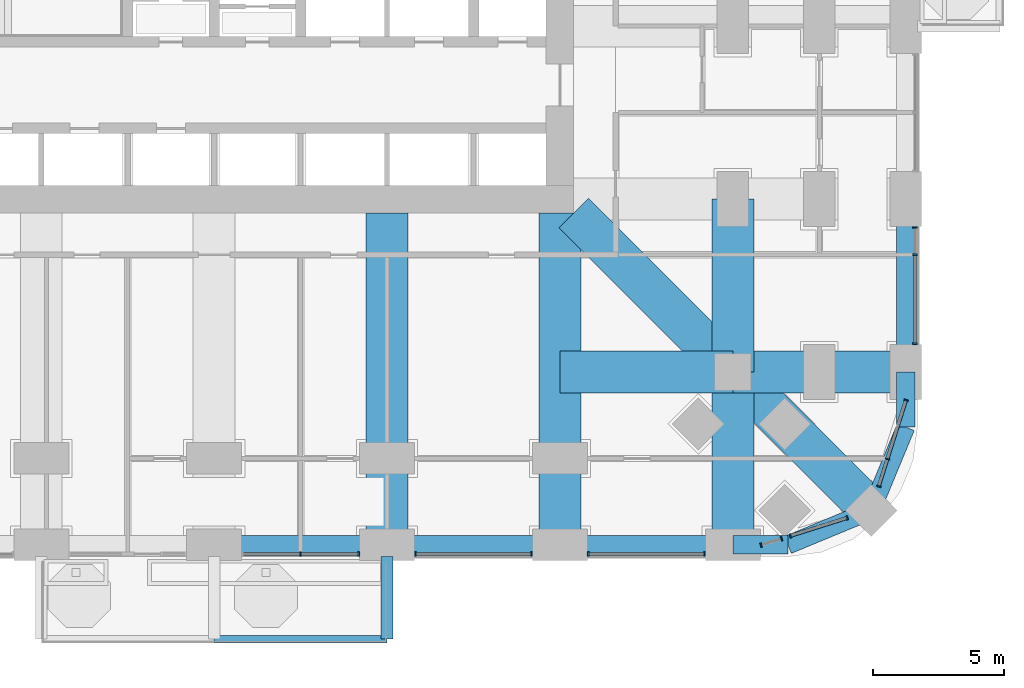
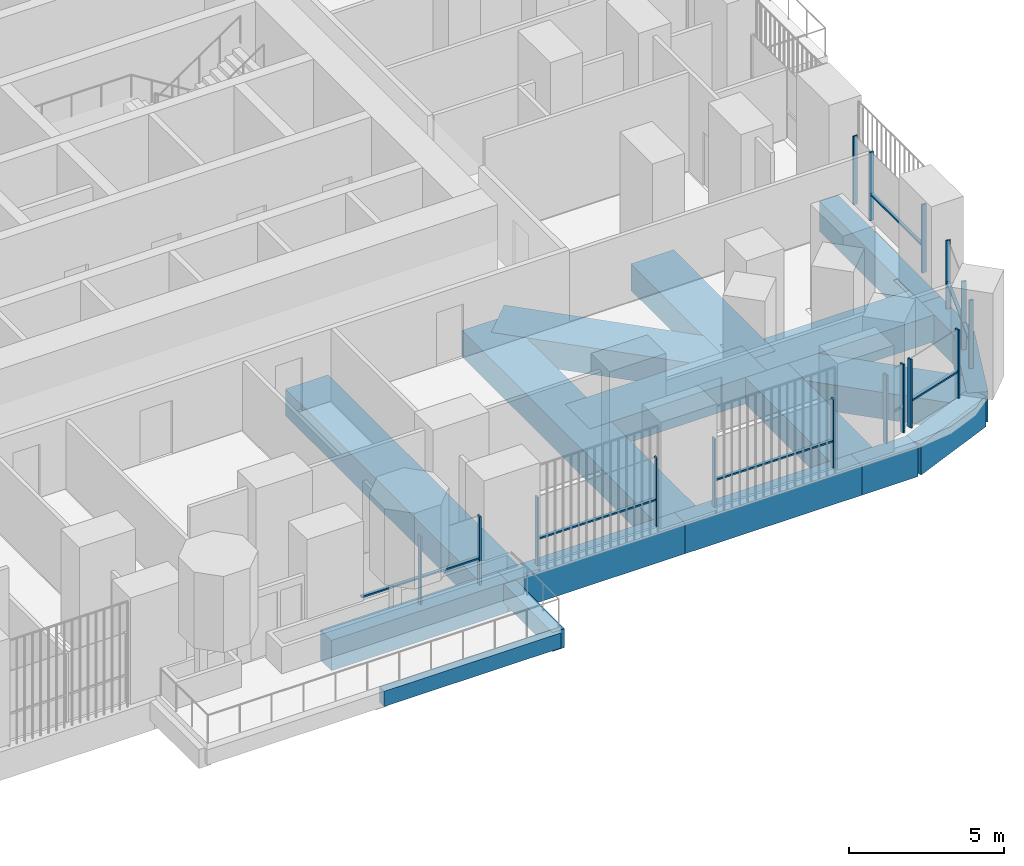
# One storey, part 4 of 26: 24 members, 18 beams, 7 elements without a shape of their own.
"""IFC4 building model written with IfcOpenShell, lengths in metres."""

import ifcopenshell
import ifcopenshell.guid

model = None  # the IFC model being written
_history = None  # IfcOwnerHistory: only IFC2X3 demands one
_inside = {}  # id of a spatial element -> (the spatial element, [elements in it])
_under = {}  # id of a project, library or spatial element -> (it, [spatial elements below it])
_declared = {}  # id of a project -> (the project, [libraries it declares])
_typed = {}  # id of a type object -> (the type object, [elements of that type])
_made_of = {}  # id of a material, layer set ... -> (it, [elements and type objects made of it])


def new_model(schema):
    """Start an empty IFC model of exactly this schema.

    Asked for "IFC4X3", IfcOpenShell would pick the latest addendum, in which some entities
    have other attributes; the version numbers below select the first issue.
    IFC2X3 requires an IfcOwnerHistory on every rooted entity: one is made here for all.
    """
    global model, _history
    if schema == "IFC4X3":
        model = ifcopenshell.file(schema_version=(4, 3, 0, 0))
    else:
        model = ifcopenshell.file(schema=schema)
    _inside.clear()
    _under.clear()
    _declared.clear()
    _typed.clear()
    _made_of.clear()
    _history = None
    if model.schema == "IFC2X3":
        org = make("IfcOrganization", Name="unknown")
        user = make(
            "IfcPersonAndOrganization",
            ThePerson=make("IfcPerson", FamilyName="unknown"),
            TheOrganization=org,
        )
        app = make(
            "IfcApplication",
            ApplicationDeveloper=org,
            Version="unknown",
            ApplicationFullName="unknown",
            ApplicationIdentifier="unknown",
        )
        _history = make(
            "IfcOwnerHistory",
            OwningUser=user,
            OwningApplication=app,
            ChangeAction="ADDED",
            CreationDate=0,
        )
    return model


def make(cls, **values):
    """One entity of the class cls with the attributes given. An attribute that is None is left unset."""
    return model.create_entity(
        cls, **{name: value for name, value in values.items() if value is not None}
    )


def rooted(cls, **values):
    """An entity with a GlobalId (a new one), such as an element, a storey or a relation."""
    return make(cls, GlobalId=ifcopenshell.guid.new(), OwnerHistory=_history, **values)


def si_unit(unit_type, name, prefix=None):
    """IfcSIUnit, for example si_unit("LENGTHUNIT", "METRE", prefix="MILLI")."""
    return make("IfcSIUnit", UnitType=unit_type, Prefix=prefix, Name=name)


def assignment(units):
    """IfcUnitAssignment: the units of a project."""
    return None if units is None else make("IfcUnitAssignment", Units=units)


def point(xyz):
    """IfcCartesianPoint."""
    return None if xyz is None else make("IfcCartesianPoint", Coordinates=xyz)


def direction(xyz):
    """IfcDirection."""
    return None if xyz is None else make("IfcDirection", DirectionRatios=xyz)


def frame(location, z_axis=None, x_axis=None):
    """IfcAxis2Placement3D, a coordinate frame: its origin and axes. An axis left out is left unset."""
    return make(
        "IfcAxis2Placement3D",
        Location=point(location),
        Axis=direction(z_axis),
        RefDirection=direction(x_axis),
    )


def frame_2d(location, x_axis=None):
    """IfcAxis2Placement2D, a coordinate frame in the plane: its origin and x axis."""
    return make(
        "IfcAxis2Placement2D", Location=point(location), RefDirection=direction(x_axis)
    )


def origin():
    """The frame at (0, 0, 0) with its axes left unset."""
    return frame((0.0, 0.0, 0.0))


def origin_2d():
    """The frame at (0, 0) in the plane with its x axis left unset."""
    return frame_2d((0.0, 0.0))


def place(relative_to, where):
    """IfcLocalPlacement: puts the frame where relative to a parent placement (None: the world)."""
    return make(
        "IfcLocalPlacement", PlacementRelTo=relative_to, RelativePlacement=where
    )


def context(
    kind, dimensions, precision=None, world=None, true_north=None, identifier=None
):
    """IfcGeometricRepresentationContext, for example the 3D "Model" context."""
    return make(
        "IfcGeometricRepresentationContext",
        ContextIdentifier=identifier,
        ContextType=kind,
        CoordinateSpaceDimension=dimensions,
        Precision=precision,
        WorldCoordinateSystem=world,
        TrueNorth=true_north,
    )


def subcontext(parent, identifier, kind, view, scale=None):
    """IfcGeometricRepresentationSubContext, for example "Body" below "Model"."""
    return make(
        "IfcGeometricRepresentationSubContext",
        ContextIdentifier=identifier,
        ContextType=kind,
        ParentContext=parent,
        TargetScale=scale,
        TargetView=view,
    )


def project(units=None, contexts=None):
    """IfcProject with its units and contexts."""
    return rooted(
        "IfcProject",
        Name="project",
        RepresentationContexts=contexts,
        UnitsInContext=assignment(units),
    )


def spatial(cls, under=None, at=None, **own):
    """A site, building, storey or space (cls), placed at a placement, below another one or the project."""
    s = rooted(cls, ObjectPlacement=at, **own)
    if under is not None:
        _under.setdefault(under.id(), (under, []))[1].append(s)
    return s


def profile(cls, at=None, kind="AREA", **sizes):
    """A parametric profile (cls). Its sizes go by their IFC names, for example OverallWidth=200.0."""
    return make(cls, ProfileType=kind, Position=at, **sizes)


def rectangle(**sizes):
    """IfcRectangleProfileDef."""
    return profile("IfcRectangleProfileDef", **sizes)


def extrude(swept, where, along, depth):
    """IfcExtrudedAreaSolid: the profile swept, set in the frame where, extruded along a direction by depth."""
    return make(
        "IfcExtrudedAreaSolid",
        SweptArea=swept,
        Position=where,
        ExtrudedDirection=direction(along),
        Depth=depth,
    )


def shape(context_of_items, identifier, shape_type, items):
    """IfcShapeRepresentation: the items that make up one representation, for example the "Body"."""
    return make(
        "IfcShapeRepresentation",
        ContextOfItems=context_of_items,
        RepresentationIdentifier=identifier,
        RepresentationType=shape_type,
        Items=items,
    )


def material(Name=None, Category=None):
    """IfcMaterial."""
    return make("IfcMaterial", Name=Name, Category=Category)


def material_profile(
    of_material, cross_section, Name=None, Category=None, Priority=None
):
    """IfcMaterialProfile: a cross section and its material."""
    return make(
        "IfcMaterialProfile",
        Name=Name,
        Material=of_material,
        Profile=cross_section,
        Priority=Priority,
        Category=Category,
    )


def profile_set(profiles, Name=None, composite=None):
    """IfcMaterialProfileSet."""
    return make(
        "IfcMaterialProfileSet",
        Name=Name,
        MaterialProfiles=profiles,
        CompositeProfile=composite,
    )


def made_of(thing, what):
    """Note that an element or type object is made of a material, layer set ...; save() writes the relation."""
    if what is not None:
        _made_of.setdefault(what.id(), (what, []))[1].append(thing)
    return thing


def type_object(cls, material=None, **own):
    """A type object (cls), such as IfcWallType, which elements share."""
    return made_of(rooted(cls, **own), material)


def element(
    cls,
    number,
    at=None,
    inside=None,
    cuts=None,
    type_object=None,
    material=None,
    context=None,
    identifier="Body",
    shape_type=None,
    held_by="IfcProductDefinitionShape",
    body=None,
    shapes=None,
    **own,
):
    """One element of the class cls, such as IfcWall. Its Tag is "e" and its number.

    at: its placement. inside: the storey or other place that contains it. cuts: it is an
    opening in that element (IfcRelVoidsElement). A single representation is given by context,
    identifier, shape_type and body (its items); several are given by shapes. held_by: the class
    of the entity that holds the representations. save() writes the other relations.
    """
    e = rooted(cls, Tag="e%d" % number, ObjectPlacement=at, **own)
    if body is not None:
        shapes = [shape(context, identifier, shape_type, body)]
    if shapes is not None:
        e.Representation = make(held_by, Representations=shapes)
    if inside is not None:
        _inside.setdefault(inside.id(), (inside, []))[1].append(e)
    if cuts is not None:
        rooted(
            "IfcRelVoidsElement", RelatingBuildingElement=cuts, RelatedOpeningElement=e
        )
    if type_object is not None:
        _typed.setdefault(type_object.id(), (type_object, []))[1].append(e)
    return made_of(e, material)


def aggregate(whole, parts):
    """IfcRelAggregates: a whole, such as a stair, and the parts it consists of."""
    return rooted("IfcRelAggregates", RelatingObject=whole, RelatedObjects=parts)


def save(model, path):
    """Write the relations noted so far, then the file.

    IfcRelAggregates (storeys below a building ...), IfcRelContainedInSpatialStructure (elements
    in a storey), IfcRelDefinesByType, IfcRelAssociatesMaterial and IfcRelDeclares: one each for
    every whole, place, type object, material and project.
    """
    for whole, parts in _under.values():
        aggregate(whole, parts)
    for where, things in _inside.values():
        rooted(
            "IfcRelContainedInSpatialStructure",
            RelatedElements=things,
            RelatingStructure=where,
        )
    for kind, things in _typed.values():
        rooted("IfcRelDefinesByType", RelatedObjects=things, RelatingType=kind)
    for what, things in _made_of.values():
        rooted("IfcRelAssociatesMaterial", RelatedObjects=things, RelatingMaterial=what)
    for by, libraries in _declared.values():
        rooted("IfcRelDeclares", RelatingContext=by, RelatedDefinitions=libraries)
    model.write(path)


model = new_model("IFC4")

# Units and contexts
model_context = context("Model", 3, precision=1e-05, world=origin(), true_north=direction((0.0, 1.0)))
body_context = subcontext(model_context, "Body", "Model", "MODEL_VIEW")
ifc_project = project(units=[si_unit("LENGTHUNIT", "METRE"), si_unit("AREAUNIT", "SQUARE_METRE"), si_unit("VOLUMEUNIT", "CUBIC_METRE"), si_unit("PLANEANGLEUNIT", "RADIAN"), si_unit("MASSUNIT", "GRAM", prefix="KILO")], contexts=[model_context])

# Site, building, storey
site_placement = place(None, origin())
site = spatial("IfcSite", under=ifc_project, at=site_placement, CompositionType="ELEMENT")
building_placement = place(site_placement, origin())
building = spatial("IfcBuilding", under=site, at=building_placement, Name="Cobogo Forest Laboratory Tower", CompositionType="ELEMENT")
storey_placement = place(building_placement, frame((0.0, 0.0, 59.10009765625)))
storey = spatial("IfcBuildingStorey", under=building, at=storey_placement, Name="L13", CompositionType="ELEMENT", Elevation=59.10009765625)

# Beams
ifc_material_1 = material(Name="Concrete HA-40 (C40/50)", Category="concrete")
ifc_material_profile_1 = material_profile(ifc_material_1, rectangle(XDim=0.449951171875, YDim=0.75, at=origin_2d()), Name="RC 450x750")
ifc_profile_set_1 = profile_set([ifc_material_profile_1], Name="Concrete HA-40 (C40/50)")
beam_type_1 = type_object("IfcBeamType", Name="Balcony cantilever beam 450x750", PredefinedType="BEAM", material=ifc_profile_set_1)
beam_1_placement = place(storey_placement, frame((33.0, -0.449951171875, -0.625), z_axis=(0.0, -1.0, 0.0), x_axis=(1.0, 0.0, 0.0)))
element("IfcBeam", 1, at=beam_1_placement, inside=storey, type_object=beam_type_1, Name="CB1 BAL-S1-C3 L13", PredefinedType="BEAM", context=body_context, shape_type="SweptSolid", body=[
    extrude(rectangle(XDim=0.449951171875, YDim=0.75, at=origin_2d()), origin(), (0.0, 0.0, 1.0), 3.150146484375),
])
ifc_material_profile_2 = material_profile(ifc_material_1, rectangle(XDim=0.300048828125, YDim=0.60009765625, at=origin_2d()), Name="RC 300x600")
ifc_profile_set_2 = profile_set([ifc_material_profile_2], Name="Concrete HA-40 (C40/50)")
beam_type_2 = type_object("IfcBeamType", Name="Balcony edge beam 300x600", PredefinedType="BEAM", material=ifc_profile_set_2)
beam_2_placement = place(storey_placement, frame((26.39990234375, -3.60009765625, -0.550048828125), z_axis=(1.0, 0.0, 0.0), x_axis=(0.0, 1.0, 0.0)))
element("IfcBeam", 2, at=beam_2_placement, inside=storey, type_object=beam_type_2, Name="BB1 BAL-S1-T2 L13", PredefinedType="BEAM", context=body_context, shape_type="SweptSolid", body=[
    extrude(rectangle(XDim=0.300048828125, YDim=0.60009765625, at=origin_2d()), origin(), (0.0, 0.0, 1.0), 6.60009765625),
])
ifc_material_2 = material(Name="Concrete HA-50 (C50/60)", Category="concrete")
ifc_material_profile_3 = material_profile(ifc_material_2, rectangle(XDim=1.60009765625, YDim=1.050048828125, at=origin_2d()), Name="RC 1600x1050")
ifc_profile_set_3 = profile_set([ifc_material_profile_3], Name="Concrete HA-50 (C50/60)")
beam_type_3 = type_object("IfcBeamType", Name="Laboratory floor wide beam 1600x1050", PredefinedType="BEAM", material=ifc_profile_set_3)
for number, where, z_axis, x_axis, name in (
    (3, (33.0, 12.675048828125, -0.8251953125), (0.0, -1.0, 0.0), (1.0, 0.0, 0.0), "RB8 R-6-S L13"),
    (4, (39.60009765625, 12.675048828125, -0.8251953125), (0.0, -1.0, 0.0), (1.0, 0.0, 0.0), "RB8 R-7-S L13"),
):
    element("IfcBeam", number, at=place(storey_placement, frame(where, z_axis=z_axis, x_axis=x_axis)), inside=storey, type_object=beam_type_3, Name=name, PredefinedType="BEAM", context=body_context, shape_type="SweptSolid", body=[
        extrude(rectangle(XDim=1.60009765625, YDim=1.050048828125, at=origin_2d()), origin(), (0.0, 0.0, 1.0), 12.675048828125),
    ])
beam_3_placement = place(storey_placement, frame((46.199951171875, 0.0, -0.8251953125), z_axis=(0.0, 1.0, 0.0), x_axis=(-1.0, 0.0, 0.0)))
element("IfcBeam", 5, at=beam_3_placement, inside=storey, type_object=beam_type_3, Name="RB8 G-SE-XF L13", PredefinedType="BEAM", context=body_context, shape_type="SweptSolid", body=[
    extrude(rectangle(XDim=1.60009765625, YDim=1.050048828125, at=origin_2d()), origin(), (0.0, 0.0, 1.0), 6.60009765625),
])
beam_4_placement = place(storey_placement, frame((46.199951171875, 6.60009765625, -0.8251953125), z_axis=(0.0, 1.0, 0.0), x_axis=(-1.0, 0.0, 0.0)))
element("IfcBeam", 6, at=beam_4_placement, inside=storey, type_object=beam_type_3, Name="RB8 G-SE-XC L13", PredefinedType="BEAM", context=body_context, shape_type="SweptSolid", body=[
    extrude(rectangle(XDim=1.60009765625, YDim=1.050048828125, at=origin_2d()), origin(), (0.0, 0.0, 1.0), 6.599853515625),
])
beam_5_placement = place(storey_placement, frame((52.800048828125, 6.60009765625, -0.8251953125), z_axis=(-1.0, 0.0, 0.0), x_axis=(0.0, -1.0, 0.0)))
element("IfcBeam", 7, at=beam_5_placement, inside=storey, type_object=beam_type_3, Name="RB8 G-SE-YF L13", PredefinedType="BEAM", context=body_context, shape_type="SweptSolid", body=[
    extrude(rectangle(XDim=1.60009765625, YDim=1.050048828125, at=origin_2d()), origin(), (0.0, 0.0, 1.0), 6.60009765625),
])
beam_6_placement = place(storey_placement, frame((46.199951171875, 6.60009765625, -0.8251953125), z_axis=(-1.0, 0.0, 0.0), x_axis=(0.0, -1.0, 0.0)))
element("IfcBeam", 8, at=beam_6_placement, inside=storey, type_object=beam_type_3, Name="RB8 G-SE-YC L13", PredefinedType="BEAM", context=body_context, shape_type="SweptSolid", body=[
    extrude(rectangle(XDim=1.60009765625, YDim=1.050048828125, at=origin_2d()), origin(), (0.0, 0.0, 1.0), 6.599853515625),
])
beam_7_placement = place(storey_placement, frame((51.48193359375, 1.318115234375, -0.8251953125), z_axis=(-0.707106781187, 0.707106781187, 0.0), x_axis=(-0.707106781187, -0.707106781187, 0.0)))
element("IfcBeam", 9, at=beam_7_placement, inside=storey, type_object=beam_type_3, Name="RB8 G-SE-D1 L13", PredefinedType="BEAM", context=body_context, shape_type="SweptSolid", body=[
    extrude(rectangle(XDim=1.60009765625, YDim=1.050048828125, at=origin_2d()), origin(), (0.0, 0.0, 1.0), 7.469970703125),
])
beam_8_placement = place(storey_placement, frame((46.199951171875, 6.60009765625, -0.8251953125), z_axis=(-0.707106781187, 0.707106781187, 0.0), x_axis=(-0.707106781187, -0.707106781187, 0.0)))
element("IfcBeam", 10, at=beam_8_placement, inside=storey, type_object=beam_type_3, Name="RB8 G-SE-D2 L13", PredefinedType="BEAM", context=body_context, shape_type="SweptSolid", body=[
    extrude(rectangle(XDim=1.60009765625, YDim=1.050048828125, at=origin_2d()), origin(), (0.0, 0.0, 1.0), 8.59130859375),
])

# Curtain wall, members
ifc_material_3 = material(Name="Aluminium curtain wall", Category="aluminium")
curtain_wall_type = type_object("IfcCurtainWallType", Name="CW-1 unitised curtain wall, clear glazing, laboratory floors zones A and B", PredefinedType="USERDEFINED", material=ifc_material_3)
curtain_wall_1_placement = place(storey_placement, origin())
curtain_wall_1 = element("IfcCurtainWall", 11, at=curtain_wall_1_placement, inside=storey, type_object=curtain_wall_type, Name="Curtain wall 04 L13", ObjectType="UNITISED CURTAIN WALL", PredefinedType="USERDEFINED")
ifc_material_4 = material(Name="Aluminium mullion", Category="aluminium")
ifc_material_profile_4 = material_profile(ifc_material_4, rectangle(XDim=0.06005859375, YDim=0.159912109375, at=origin_2d()), Name="AL 60x160")
ifc_profile_set_4 = profile_set([ifc_material_profile_4], Name="Aluminium mullion")
member_type_1 = type_object("IfcMemberType", Name="MU-1 aluminium mullion 60x160", PredefinedType="MULLION", material=ifc_profile_set_4)
member_1_placement = place(storey_placement, frame((29.699951171875, -0.35009765625, 0.0), z_axis=(0.0, 0.0, 1.0), x_axis=(1.0, 0.0, 0.0)))
member_1 = element("IfcMember", 12, at=member_1_placement, type_object=member_type_1, Name="CW-1 mullion 2", PredefinedType="MULLION", context=body_context, shape_type="SweptSolid", body=[
    extrude(rectangle(XDim=0.06005859375, YDim=0.159912109375, at=origin_2d()), origin(), (0.0, 0.0, 1.0), 2.699951171875),
])
member_2_placement = place(storey_placement, frame((31.919921875, -0.35009765625, 0.0), z_axis=(0.0, 0.0, 1.0), x_axis=(1.0, 0.0, 0.0)))
member_2 = element("IfcMember", 13, at=member_2_placement, type_object=member_type_1, Name="CW-1 mullion 3", PredefinedType="MULLION", context=body_context, shape_type="SweptSolid", body=[
    extrude(rectangle(XDim=0.06005859375, YDim=0.159912109375, at=origin_2d()), origin(), (0.0, 0.0, 1.0), 2.699951171875),
])

curtain_wall_2_placement = place(storey_placement, origin())
curtain_wall_2 = element("IfcCurtainWall", 14, at=curtain_wall_2_placement, inside=storey, type_object=curtain_wall_type, Name="Curtain wall 05 L13", ObjectType="UNITISED CURTAIN WALL", PredefinedType="USERDEFINED")
member_3_placement = place(storey_placement, frame((34.080078125, -0.35009765625, 0.0), z_axis=(0.0, 0.0, 1.0), x_axis=(1.0, 0.0, 0.0)))
member_3 = element("IfcMember", 15, at=member_3_placement, type_object=member_type_1, Name="CW-1 mullion 1", PredefinedType="MULLION", context=body_context, shape_type="SweptSolid", body=[
    extrude(rectangle(XDim=0.06005859375, YDim=0.159912109375, at=origin_2d()), origin(), (0.0, 0.0, 1.0), 2.699951171875),
])
member_4_placement = place(storey_placement, frame((38.52001953125, -0.35009765625, 0.0), z_axis=(0.0, 0.0, 1.0), x_axis=(1.0, 0.0, 0.0)))
member_4 = element("IfcMember", 16, at=member_4_placement, type_object=member_type_1, Name="CW-1 mullion 2", PredefinedType="MULLION", context=body_context, shape_type="SweptSolid", body=[
    extrude(rectangle(XDim=0.06005859375, YDim=0.159912109375, at=origin_2d()), origin(), (0.0, 0.0, 1.0), 2.699951171875),
])

curtain_wall_3_placement = place(storey_placement, origin())
curtain_wall_3 = element("IfcCurtainWall", 17, at=curtain_wall_3_placement, inside=storey, type_object=curtain_wall_type, Name="Curtain wall 06 L13", ObjectType="UNITISED CURTAIN WALL", PredefinedType="USERDEFINED")
member_5_placement = place(storey_placement, frame((40.679931640625, -0.35009765625, 0.0), z_axis=(0.0, 0.0, 1.0), x_axis=(1.0, 0.0, 0.0)))
member_5 = element("IfcMember", 18, at=member_5_placement, type_object=member_type_1, Name="CW-1 mullion 1", PredefinedType="MULLION", context=body_context, shape_type="SweptSolid", body=[
    extrude(rectangle(XDim=0.06005859375, YDim=0.159912109375, at=origin_2d()), origin(), (0.0, 0.0, 1.0), 2.699951171875),
])
member_6_placement = place(storey_placement, frame((45.1201171875, -0.35009765625, 0.0), z_axis=(0.0, 0.0, 1.0), x_axis=(1.0, 0.0, 0.0)))
member_6 = element("IfcMember", 19, at=member_6_placement, type_object=member_type_1, Name="CW-1 mullion 2", PredefinedType="MULLION", context=body_context, shape_type="SweptSolid", body=[
    extrude(rectangle(XDim=0.06005859375, YDim=0.159912109375, at=origin_2d()), origin(), (0.0, 0.0, 1.0), 2.699951171875),
])

curtain_wall_4_placement = place(storey_placement, origin())
curtain_wall_4 = element("IfcCurtainWall", 20, at=curtain_wall_4_placement, inside=storey, type_object=curtain_wall_type, Name="Curtain wall 07 L13", ObjectType="UNITISED CURTAIN WALL", PredefinedType="USERDEFINED")
member_7_placement = place(storey_placement, frame((47.278564453125, -0.00927734375, 0.0), z_axis=(0.0, 0.0, 1.0), x_axis=(0.953581504428, 0.301135043481, 0.0)))
member_7 = element("IfcMember", 21, at=member_7_placement, type_object=member_type_1, Name="CW-1 mullion 1", PredefinedType="MULLION", context=body_context, shape_type="SweptSolid", body=[
    extrude(rectangle(XDim=0.06005859375, YDim=0.159912109375, at=origin_2d()), origin(), (0.0, 0.0, 1.0), 2.699951171875),
])
member_8_placement = place(storey_placement, frame((48.05322265625, 0.2353515625, 0.0), z_axis=(0.0, 0.0, 1.0), x_axis=(0.953581504428, 0.301135043481, 0.0)))
member_8 = element("IfcMember", 22, at=member_8_placement, type_object=member_type_1, Name="CW-1 mullion 2", PredefinedType="MULLION", context=body_context, shape_type="SweptSolid", body=[
    extrude(rectangle(XDim=0.06005859375, YDim=0.159912109375, at=origin_2d()), origin(), (0.0, 0.0, 1.0), 2.699951171875),
])
aggregate(curtain_wall_4, [member_7, member_8])

curtain_wall_5_placement = place(storey_placement, origin())
curtain_wall_5 = element("IfcCurtainWall", 23, at=curtain_wall_5_placement, inside=storey, type_object=curtain_wall_type, Name="Curtain wall 08 L13", ObjectType="UNITISED CURTAIN WALL", PredefinedType="USERDEFINED")
member_9_placement = place(storey_placement, frame((48.403076171875, 0.345703125, 0.0), z_axis=(0.0, 0.0, 1.0), x_axis=(0.953581409645, 0.301135343623, 0.0)))
member_9 = element("IfcMember", 24, at=member_9_placement, type_object=member_type_1, Name="CW-1 mullion 1", PredefinedType="MULLION", context=body_context, shape_type="SweptSolid", body=[
    extrude(rectangle(XDim=0.06005859375, YDim=0.159912109375, at=origin_2d()), origin(), (0.0, 0.0, 1.0), 2.699951171875),
])
member_10_placement = place(storey_placement, frame((50.561279296875, 1.02734375, 0.0), z_axis=(0.0, 0.0, 1.0), x_axis=(0.953581409645, 0.301135343623, 0.0)))
member_10 = element("IfcMember", 25, at=member_10_placement, type_object=member_type_1, Name="CW-1 mullion 2", PredefinedType="MULLION", context=body_context, shape_type="SweptSolid", body=[
    extrude(rectangle(XDim=0.06005859375, YDim=0.159912109375, at=origin_2d()), origin(), (0.0, 0.0, 1.0), 2.699951171875),
])

curtain_wall_6_placement = place(storey_placement, origin())
curtain_wall_6 = element("IfcCurtainWall", 26, at=curtain_wall_6_placement, inside=storey, type_object=curtain_wall_type, Name="Curtain wall 09 L13", ObjectType="UNITISED CURTAIN WALL", PredefinedType="USERDEFINED")
member_11_placement = place(storey_placement, frame((51.772705078125, 2.23876953125, 0.0), z_axis=(0.0, 0.0, 1.0), x_axis=(0.30113535792, 0.95358140513, 0.0)))
member_11 = element("IfcMember", 27, at=member_11_placement, type_object=member_type_1, Name="CW-1 mullion 1", PredefinedType="MULLION", context=body_context, shape_type="SweptSolid", body=[
    extrude(rectangle(XDim=0.06005859375, YDim=0.159912109375, at=origin_2d()), origin(), (0.0, 0.0, 1.0), 2.699951171875),
])
member_12_placement = place(storey_placement, frame((52.100341796875, 3.27587890625, 0.0), z_axis=(0.0, 0.0, 1.0), x_axis=(0.30113535792, 0.95358140513, 0.0)))
member_12 = element("IfcMember", 28, at=member_12_placement, type_object=member_type_1, Name="CW-1 mullion 2", PredefinedType="MULLION", context=body_context, shape_type="SweptSolid", body=[
    extrude(rectangle(XDim=0.06005859375, YDim=0.159912109375, at=origin_2d()), origin(), (0.0, 0.0, 1.0), 2.699951171875),
])
member_13_placement = place(storey_placement, frame((52.809326171875, 5.521484375, 0.0), z_axis=(0.0, 0.0, 1.0), x_axis=(0.30113535792, 0.95358140513, 0.0)))
member_13 = element("IfcMember", 29, at=member_13_placement, type_object=member_type_1, Name="CW-1 mullion 3", PredefinedType="MULLION", context=body_context, shape_type="SweptSolid", body=[
    extrude(rectangle(XDim=0.06005859375, YDim=0.159912109375, at=origin_2d()), origin(), (0.0, 0.0, 1.0), 2.699951171875),
])

curtain_wall_7_placement = place(storey_placement, origin())
curtain_wall_7 = element("IfcCurtainWall", 30, at=curtain_wall_7_placement, inside=storey, type_object=curtain_wall_type, Name="Curtain wall 10 L13", ObjectType="UNITISED CURTAIN WALL", PredefinedType="USERDEFINED")
member_14_placement = place(storey_placement, frame((53.14990234375, 7.679931640625, 0.0), z_axis=(0.0, 0.0, 1.0), x_axis=(0.0, 1.0, 0.0)))
member_14 = element("IfcMember", 31, at=member_14_placement, type_object=member_type_1, Name="CW-1 mullion 1", PredefinedType="MULLION", context=body_context, shape_type="SweptSolid", body=[
    extrude(rectangle(XDim=0.06005859375, YDim=0.159912109375, at=origin_2d()), origin(), (0.0, 0.0, 1.0), 2.699951171875),
])
member_15_placement = place(storey_placement, frame((53.14990234375, 11.074951171875, 0.0), z_axis=(0.0, 0.0, 1.0), x_axis=(0.0, 1.0, 0.0)))
member_15 = element("IfcMember", 32, at=member_15_placement, type_object=member_type_1, Name="CW-1 mullion 2", PredefinedType="MULLION", context=body_context, shape_type="SweptSolid", body=[
    extrude(rectangle(XDim=0.06005859375, YDim=0.159912109375, at=origin_2d()), origin(), (0.0, 0.0, 1.0), 2.699951171875),
])
member_16_placement = place(storey_placement, frame((53.14990234375, 12.1201171875, 0.0), z_axis=(0.0, 0.0, 1.0), x_axis=(0.0, 1.0, 0.0)))
member_16 = element("IfcMember", 33, at=member_16_placement, type_object=member_type_1, Name="CW-1 mullion 3", PredefinedType="MULLION", context=body_context, shape_type="SweptSolid", body=[
    extrude(rectangle(XDim=0.06005859375, YDim=0.159912109375, at=origin_2d()), origin(), (0.0, 0.0, 1.0), 2.699951171875),
])

# Beams
ifc_material_profile_5 = material_profile(ifc_material_1, rectangle(XDim=0.699951171875, YDim=1.199951171875, at=origin_2d()), Name="RC 700x1200")
ifc_profile_set_5 = profile_set([ifc_material_profile_5], Name="Concrete HA-40 (C40/50)")
beam_type_4 = type_object("IfcBeamType", Name="Perimeter edge beam 700x1200", PredefinedType="BEAM", material=ifc_profile_set_5)
for number, where, z_axis, x_axis, name in (
    (34, (26.39990234375, 0.0, -0.900146484375), (1.0, 0.0, 0.0), (0.0, 1.0, 0.0), "EB1 E-S4 L13"),
    (35, (33.0, 0.0, -0.900146484375), (1.0, 0.0, 0.0), (0.0, 1.0, 0.0), "EB1 E-S5 L13"),
):
    element("IfcBeam", number, at=place(storey_placement, frame(where, z_axis=z_axis, x_axis=x_axis)), inside=storey, type_object=beam_type_4, Name=name, PredefinedType="BEAM", context=body_context, shape_type="SweptSolid", body=[
        extrude(rectangle(XDim=0.699951171875, YDim=1.199951171875, at=origin_2d()), origin(), (0.0, 0.0, 1.0), 6.60009765625),
    ])
for number, where, z_axis, x_axis, name in (
    (36, (39.60009765625, 0.0, -0.900146484375), (1.0, 0.0, 0.0), (0.0, 1.0, 0.0), "EB1 E-S6 L13"),
    (37, (52.800048828125, 6.60009765625, -0.900146484375), (0.0, 1.0, 0.0), (-1.0, 0.0, 0.0), "EB1 E-E1 L13"),
):
    element("IfcBeam", number, at=place(storey_placement, frame(where, z_axis=z_axis, x_axis=x_axis)), inside=storey, type_object=beam_type_4, Name=name, PredefinedType="BEAM", context=body_context, shape_type="SweptSolid", body=[
        extrude(rectangle(XDim=0.699951171875, YDim=1.199951171875, at=origin_2d()), origin(), (0.0, 0.0, 1.0), 6.599853515625),
    ])
beam_9_placement = place(storey_placement, frame((46.199951171875, 0.0, -0.900146484375), z_axis=(1.0, 0.0, 0.0), x_axis=(0.0, 1.0, 0.0)))
element("IfcBeam", 38, at=beam_9_placement, inside=storey, type_object=beam_type_4, Name="EB1 E-SES1 L13", PredefinedType="BEAM", context=body_context, shape_type="SweptSolid", body=[
    extrude(rectangle(XDim=0.699951171875, YDim=1.199951171875, at=origin_2d()), origin(), (0.0, 0.0, 1.0), 2.10009765625),
])
beam_10_placement = place(storey_placement, frame((48.300048828125, 0.0, -0.900146484375), z_axis=(0.923865631356, 0.382716990999, 0.0), x_axis=(-0.382716990999, 0.923865631356, 0.0)))
element("IfcBeam", 39, at=beam_10_placement, inside=storey, type_object=beam_type_4, Name="EB1 E-SES2 L13", PredefinedType="BEAM", context=body_context, shape_type="SweptSolid", body=[
    extrude(rectangle(XDim=0.699951171875, YDim=1.199951171875, at=origin_2d()), origin(), (0.0, 0.0, 1.0), 3.444091796875),
])
beam_11_placement = place(storey_placement, frame((52.800048828125, 6.60009765625, -0.900146484375), z_axis=(0.0, -1.0, 0.0), x_axis=(1.0, 0.0, 0.0)))
element("IfcBeam", 40, at=beam_11_placement, inside=storey, type_object=beam_type_4, Name="EB1 E-SEE1 L13", PredefinedType="BEAM", context=body_context, shape_type="SweptSolid", body=[
    extrude(rectangle(XDim=0.699951171875, YDim=1.199951171875, at=origin_2d()), origin(), (0.0, 0.0, 1.0), 2.10009765625),
])
beam_12_placement = place(storey_placement, frame((52.800048828125, 4.5, -0.900146484375), z_axis=(-0.382716990999, -0.923865631356, 0.0), x_axis=(0.923865631356, -0.382716990999, 0.0)))
element("IfcBeam", 41, at=beam_12_placement, inside=storey, type_object=beam_type_4, Name="EB1 E-SEE2 L13", PredefinedType="BEAM", context=body_context, shape_type="SweptSolid", body=[
    extrude(rectangle(XDim=0.699951171875, YDim=1.199951171875, at=origin_2d()), origin(), (0.0, 0.0, 1.0), 3.444091796875),
])

# Member
ifc_material_5 = material(Name="Aluminium transom", Category="aluminium")
ifc_material_profile_6 = material_profile(ifc_material_5, rectangle(XDim=0.1201171875, YDim=0.06005859375, at=origin_2d()), Name="AL 60x120")
ifc_profile_set_6 = profile_set([ifc_material_profile_6], Name="Aluminium transom")
member_type_2 = type_object("IfcMemberType", Name="TR-1 aluminium transom 60x120", PredefinedType="USERDEFINED", material=ifc_profile_set_6)
member_17_placement = place(storey_placement, frame((27.510009765625, -0.35009765625, 1.0498046875), z_axis=(1.0, 0.0, 0.0), x_axis=(0.0, 1.0, 0.0)))
member_17 = element("IfcMember", 42, at=member_17_placement, type_object=member_type_2, Name="CW-1 transom 1.1", ObjectType="TRANSOM", PredefinedType="USERDEFINED", context=body_context, shape_type="SweptSolid", body=[
    extrude(rectangle(XDim=0.1201171875, YDim=0.06005859375, at=origin_2d()), origin(), (0.0, 0.0, 1.0), 2.159912109375),
])

member_18_placement = place(storey_placement, frame((29.72998046875, -0.35009765625, 1.0498046875), z_axis=(1.0, 0.0, 0.0), x_axis=(0.0, 1.0, 0.0)))
member_18 = element("IfcMember", 43, at=member_18_placement, type_object=member_type_2, Name="CW-1 transom 2.1", ObjectType="TRANSOM", PredefinedType="USERDEFINED", context=body_context, shape_type="SweptSolid", body=[
    extrude(rectangle(XDim=0.1201171875, YDim=0.06005859375, at=origin_2d()), origin(), (0.0, 0.0, 1.0), 2.159912109375),
])

aggregate(curtain_wall_1, [member_1, member_2, member_17, member_18])

member_19_placement = place(storey_placement, frame((34.110107421875, -0.35009765625, 1.0498046875), z_axis=(1.0, 0.0, 0.0), x_axis=(0.0, 1.0, 0.0)))
member_19 = element("IfcMember", 44, at=member_19_placement, type_object=member_type_2, Name="CW-1 transom 1.1", ObjectType="TRANSOM", PredefinedType="USERDEFINED", context=body_context, shape_type="SweptSolid", body=[
    extrude(rectangle(XDim=0.1201171875, YDim=0.06005859375, at=origin_2d()), origin(), (0.0, 0.0, 1.0), 4.3798828125),
])

aggregate(curtain_wall_2, [member_3, member_4, member_19])

member_20_placement = place(storey_placement, frame((40.7099609375, -0.35009765625, 1.0498046875), z_axis=(1.0, 0.0, 0.0), x_axis=(0.0, 1.0, 0.0)))
member_20 = element("IfcMember", 45, at=member_20_placement, type_object=member_type_2, Name="CW-1 transom 1.1", ObjectType="TRANSOM", PredefinedType="USERDEFINED", context=body_context, shape_type="SweptSolid", body=[
    extrude(rectangle(XDim=0.1201171875, YDim=0.06005859375, at=origin_2d()), origin(), (0.0, 0.0, 1.0), 4.380126953125),
])

aggregate(curtain_wall_3, [member_5, member_6, member_20])

member_21_placement = place(storey_placement, frame((48.431640625, 0.354736328125, 1.0498046875), z_axis=(0.953572616955, 0.301163185322, 0.0), x_axis=(-0.301163185322, 0.953572616955, 0.0)))
member_21 = element("IfcMember", 46, at=member_21_placement, type_object=member_type_2, Name="CW-1 transom 1.1", ObjectType="TRANSOM", PredefinedType="USERDEFINED", context=body_context, shape_type="SweptSolid", body=[
    extrude(rectangle(XDim=0.1201171875, YDim=0.06005859375, at=origin_2d()), origin(), (0.0, 0.0, 1.0), 2.203369140625),
])

aggregate(curtain_wall_5, [member_9, member_10, member_21])

member_22_placement = place(storey_placement, frame((51.78173828125, 2.267333984375, 1.0498046875), z_axis=(0.301222320394, 0.953553938535, 0.0), x_axis=(-0.953553938535, 0.301222320394, 0.0)))
member_22 = element("IfcMember", 47, at=member_22_placement, type_object=member_type_2, Name="CW-1 transom 1.1", ObjectType="TRANSOM", PredefinedType="USERDEFINED", context=body_context, shape_type="SweptSolid", body=[
    extrude(rectangle(XDim=0.1201171875, YDim=0.06005859375, at=origin_2d()), origin(), (0.0, 0.0, 1.0), 1.02783203125),
])

member_23_placement = place(storey_placement, frame((52.109375, 3.304443359375, 1.0498046875), z_axis=(0.301090633022, 0.953595527835, 0.0), x_axis=(-0.953595527835, 0.301090633022, 0.0)))
member_23 = element("IfcMember", 48, at=member_23_placement, type_object=member_type_2, Name="CW-1 transom 2.1", ObjectType="TRANSOM", PredefinedType="USERDEFINED", context=body_context, shape_type="SweptSolid", body=[
    extrude(rectangle(XDim=0.1201171875, YDim=0.06005859375, at=origin_2d()), origin(), (0.0, 0.0, 1.0), 2.294677734375),
])

aggregate(curtain_wall_6, [member_11, member_12, member_13, member_22, member_23])

member_24_placement = place(storey_placement, frame((53.14990234375, 7.7099609375, 1.0498046875), z_axis=(0.0, 1.0, 0.0), x_axis=(-1.0, 0.0, 0.0)))
member_24 = element("IfcMember", 49, at=member_24_placement, type_object=member_type_2, Name="CW-1 transom 1.1", ObjectType="TRANSOM", PredefinedType="USERDEFINED", context=body_context, shape_type="SweptSolid", body=[
    extrude(rectangle(XDim=0.1201171875, YDim=0.06005859375, at=origin_2d()), origin(), (0.0, 0.0, 1.0), 3.3349609375),
])

aggregate(curtain_wall_7, [member_14, member_15, member_16, member_24])

save(model, "model.ifc")
